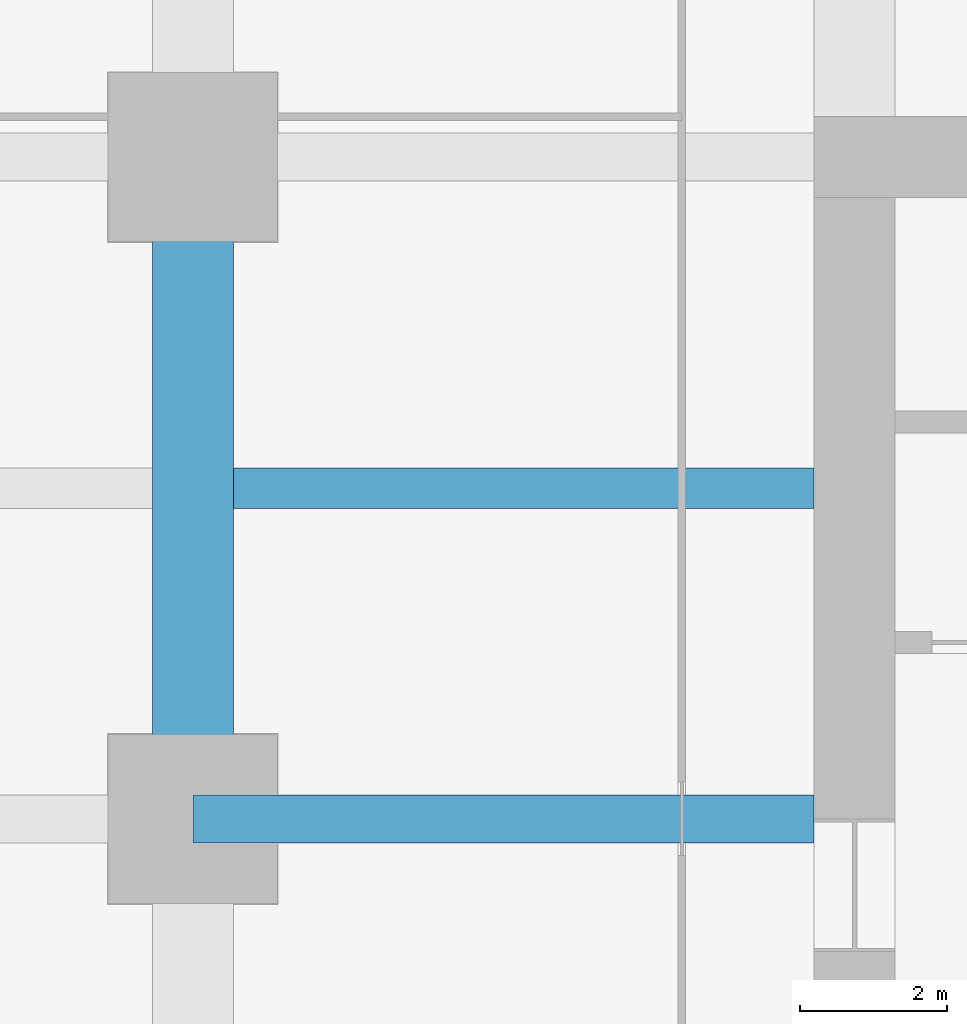
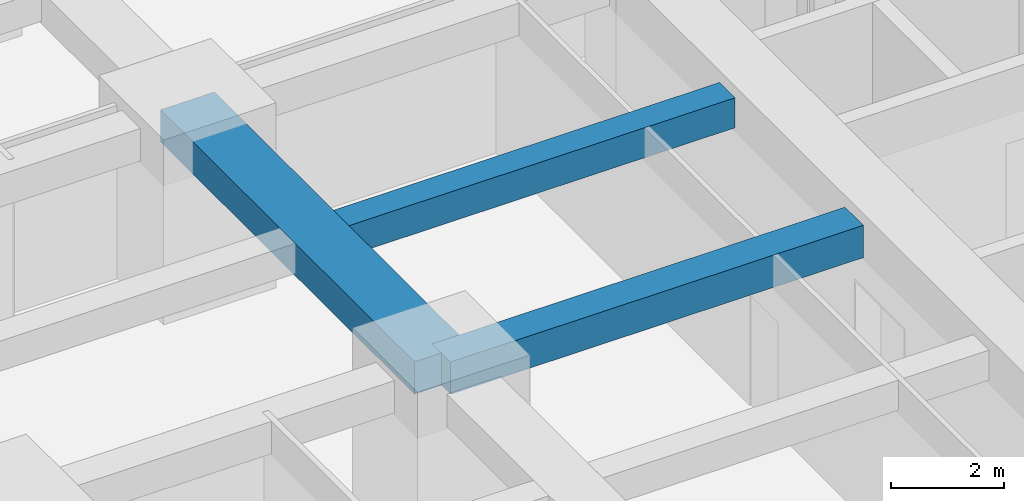
# One storey, part 12 of 44: 3 beams.
"""IFC4 building model written with IfcOpenShell, lengths in metres."""

import ifcopenshell
import ifcopenshell.guid

model = None  # the IFC model being written
_history = None  # IfcOwnerHistory: only IFC2X3 demands one
_inside = {}  # id of a spatial element -> (the spatial element, [elements in it])
_under = {}  # id of a project, library or spatial element -> (it, [spatial elements below it])
_declared = {}  # id of a project -> (the project, [libraries it declares])
_typed = {}  # id of a type object -> (the type object, [elements of that type])
_made_of = {}  # id of a material, layer set ... -> (it, [elements and type objects made of it])


def new_model(schema):
    """Start an empty IFC model of exactly this schema.

    Asked for "IFC4X3", IfcOpenShell would pick the latest addendum, in which some entities
    have other attributes; the version numbers below select the first issue.
    IFC2X3 requires an IfcOwnerHistory on every rooted entity: one is made here for all.
    """
    global model, _history
    if schema == "IFC4X3":
        model = ifcopenshell.file(schema_version=(4, 3, 0, 0))
    else:
        model = ifcopenshell.file(schema=schema)
    _inside.clear()
    _under.clear()
    _declared.clear()
    _typed.clear()
    _made_of.clear()
    _history = None
    if model.schema == "IFC2X3":
        org = make("IfcOrganization", Name="unknown")
        user = make(
            "IfcPersonAndOrganization",
            ThePerson=make("IfcPerson", FamilyName="unknown"),
            TheOrganization=org,
        )
        app = make(
            "IfcApplication",
            ApplicationDeveloper=org,
            Version="unknown",
            ApplicationFullName="unknown",
            ApplicationIdentifier="unknown",
        )
        _history = make(
            "IfcOwnerHistory",
            OwningUser=user,
            OwningApplication=app,
            ChangeAction="ADDED",
            CreationDate=0,
        )
    return model


def make(cls, **values):
    """One entity of the class cls with the attributes given. An attribute that is None is left unset."""
    return model.create_entity(
        cls, **{name: value for name, value in values.items() if value is not None}
    )


def rooted(cls, **values):
    """An entity with a GlobalId (a new one), such as an element, a storey or a relation."""
    return make(cls, GlobalId=ifcopenshell.guid.new(), OwnerHistory=_history, **values)


def si_unit(unit_type, name, prefix=None):
    """IfcSIUnit, for example si_unit("LENGTHUNIT", "METRE", prefix="MILLI")."""
    return make("IfcSIUnit", UnitType=unit_type, Prefix=prefix, Name=name)


def assignment(units):
    """IfcUnitAssignment: the units of a project."""
    return None if units is None else make("IfcUnitAssignment", Units=units)


def point(xyz):
    """IfcCartesianPoint."""
    return None if xyz is None else make("IfcCartesianPoint", Coordinates=xyz)


def direction(xyz):
    """IfcDirection."""
    return None if xyz is None else make("IfcDirection", DirectionRatios=xyz)


def frame(location, z_axis=None, x_axis=None):
    """IfcAxis2Placement3D, a coordinate frame: its origin and axes. An axis left out is left unset."""
    return make(
        "IfcAxis2Placement3D",
        Location=point(location),
        Axis=direction(z_axis),
        RefDirection=direction(x_axis),
    )


def frame_2d(location, x_axis=None):
    """IfcAxis2Placement2D, a coordinate frame in the plane: its origin and x axis."""
    return make(
        "IfcAxis2Placement2D", Location=point(location), RefDirection=direction(x_axis)
    )


def origin():
    """The frame at (0, 0, 0) with its axes left unset."""
    return frame((0.0, 0.0, 0.0))


def origin_2d():
    """The frame at (0, 0) in the plane with its x axis left unset."""
    return frame_2d((0.0, 0.0))


def place(relative_to, where):
    """IfcLocalPlacement: puts the frame where relative to a parent placement (None: the world)."""
    return make(
        "IfcLocalPlacement", PlacementRelTo=relative_to, RelativePlacement=where
    )


def context(
    kind, dimensions, precision=None, world=None, true_north=None, identifier=None
):
    """IfcGeometricRepresentationContext, for example the 3D "Model" context."""
    return make(
        "IfcGeometricRepresentationContext",
        ContextIdentifier=identifier,
        ContextType=kind,
        CoordinateSpaceDimension=dimensions,
        Precision=precision,
        WorldCoordinateSystem=world,
        TrueNorth=true_north,
    )


def subcontext(parent, identifier, kind, view, scale=None):
    """IfcGeometricRepresentationSubContext, for example "Body" below "Model"."""
    return make(
        "IfcGeometricRepresentationSubContext",
        ContextIdentifier=identifier,
        ContextType=kind,
        ParentContext=parent,
        TargetScale=scale,
        TargetView=view,
    )


def project(units=None, contexts=None):
    """IfcProject with its units and contexts."""
    return rooted(
        "IfcProject",
        Name="project",
        RepresentationContexts=contexts,
        UnitsInContext=assignment(units),
    )


def spatial(cls, under=None, at=None, **own):
    """A site, building, storey or space (cls), placed at a placement, below another one or the project."""
    s = rooted(cls, ObjectPlacement=at, **own)
    if under is not None:
        _under.setdefault(under.id(), (under, []))[1].append(s)
    return s


def profile(cls, at=None, kind="AREA", **sizes):
    """A parametric profile (cls). Its sizes go by their IFC names, for example OverallWidth=200.0."""
    return make(cls, ProfileType=kind, Position=at, **sizes)


def rectangle(**sizes):
    """IfcRectangleProfileDef."""
    return profile("IfcRectangleProfileDef", **sizes)


def extrude(swept, where, along, depth):
    """IfcExtrudedAreaSolid: the profile swept, set in the frame where, extruded along a direction by depth."""
    return make(
        "IfcExtrudedAreaSolid",
        SweptArea=swept,
        Position=where,
        ExtrudedDirection=direction(along),
        Depth=depth,
    )


def shape(context_of_items, identifier, shape_type, items):
    """IfcShapeRepresentation: the items that make up one representation, for example the "Body"."""
    return make(
        "IfcShapeRepresentation",
        ContextOfItems=context_of_items,
        RepresentationIdentifier=identifier,
        RepresentationType=shape_type,
        Items=items,
    )


def material(Name=None, Category=None):
    """IfcMaterial."""
    return make("IfcMaterial", Name=Name, Category=Category)


def material_profile(
    of_material, cross_section, Name=None, Category=None, Priority=None
):
    """IfcMaterialProfile: a cross section and its material."""
    return make(
        "IfcMaterialProfile",
        Name=Name,
        Material=of_material,
        Profile=cross_section,
        Priority=Priority,
        Category=Category,
    )


def profile_set(profiles, Name=None, composite=None):
    """IfcMaterialProfileSet."""
    return make(
        "IfcMaterialProfileSet",
        Name=Name,
        MaterialProfiles=profiles,
        CompositeProfile=composite,
    )


def made_of(thing, what):
    """Note that an element or type object is made of a material, layer set ...; save() writes the relation."""
    if what is not None:
        _made_of.setdefault(what.id(), (what, []))[1].append(thing)
    return thing


def type_object(cls, material=None, **own):
    """A type object (cls), such as IfcWallType, which elements share."""
    return made_of(rooted(cls, **own), material)


def element(
    cls,
    number,
    at=None,
    inside=None,
    cuts=None,
    type_object=None,
    material=None,
    context=None,
    identifier="Body",
    shape_type=None,
    held_by="IfcProductDefinitionShape",
    body=None,
    shapes=None,
    **own,
):
    """One element of the class cls, such as IfcWall. Its Tag is "e" and its number.

    at: its placement. inside: the storey or other place that contains it. cuts: it is an
    opening in that element (IfcRelVoidsElement). A single representation is given by context,
    identifier, shape_type and body (its items); several are given by shapes. held_by: the class
    of the entity that holds the representations. save() writes the other relations.
    """
    e = rooted(cls, Tag="e%d" % number, ObjectPlacement=at, **own)
    if body is not None:
        shapes = [shape(context, identifier, shape_type, body)]
    if shapes is not None:
        e.Representation = make(held_by, Representations=shapes)
    if inside is not None:
        _inside.setdefault(inside.id(), (inside, []))[1].append(e)
    if cuts is not None:
        rooted(
            "IfcRelVoidsElement", RelatingBuildingElement=cuts, RelatedOpeningElement=e
        )
    if type_object is not None:
        _typed.setdefault(type_object.id(), (type_object, []))[1].append(e)
    return made_of(e, material)


def aggregate(whole, parts):
    """IfcRelAggregates: a whole, such as a stair, and the parts it consists of."""
    return rooted("IfcRelAggregates", RelatingObject=whole, RelatedObjects=parts)


def save(model, path):
    """Write the relations noted so far, then the file.

    IfcRelAggregates (storeys below a building ...), IfcRelContainedInSpatialStructure (elements
    in a storey), IfcRelDefinesByType, IfcRelAssociatesMaterial and IfcRelDeclares: one each for
    every whole, place, type object, material and project.
    """
    for whole, parts in _under.values():
        aggregate(whole, parts)
    for where, things in _inside.values():
        rooted(
            "IfcRelContainedInSpatialStructure",
            RelatedElements=things,
            RelatingStructure=where,
        )
    for kind, things in _typed.values():
        rooted("IfcRelDefinesByType", RelatedObjects=things, RelatingType=kind)
    for what, things in _made_of.values():
        rooted("IfcRelAssociatesMaterial", RelatedObjects=things, RelatingMaterial=what)
    for by, libraries in _declared.values():
        rooted("IfcRelDeclares", RelatingContext=by, RelatedDefinitions=libraries)
    model.write(path)


model = new_model("IFC4")

# Units and contexts
model_context = context("Model", 3, precision=1e-05, world=origin(), true_north=direction((0.0, 1.0)))
body_context = subcontext(model_context, "Body", "Model", "MODEL_VIEW")
ifc_project = project(units=[si_unit("LENGTHUNIT", "METRE"), si_unit("AREAUNIT", "SQUARE_METRE"), si_unit("VOLUMEUNIT", "CUBIC_METRE"), si_unit("PLANEANGLEUNIT", "RADIAN"), si_unit("MASSUNIT", "GRAM", prefix="KILO")], contexts=[model_context])

# Site, building, storey
site_placement = place(None, origin())
site = spatial("IfcSite", under=ifc_project, at=site_placement, CompositionType="ELEMENT")
building_placement = place(site_placement, origin())
building = spatial("IfcBuilding", under=site, at=building_placement, Name="Zorevar Civic Tower", CompositionType="ELEMENT")
storey_placement = place(building_placement, frame((0.0, 0.0, 35.800048828125)))
storey = spatial("IfcBuildingStorey", under=building, at=storey_placement, Name="L08", CompositionType="ELEMENT", Elevation=35.800048828125)

# Beams
ifc_material_1 = material(Name="Concrete C50/60", Category="concrete")
ifc_material_profile_1 = material_profile(ifc_material_1, rectangle(XDim=1.10009765625, YDim=0.699951171875, at=origin_2d()), Name="RC 1100x700")
ifc_profile_set_1 = profile_set([ifc_material_profile_1], Name="Concrete C50/60")
beam_type_1 = type_object("IfcBeamType", Name="Beam RC 1100x700", PredefinedType="BEAM", material=ifc_profile_set_1)
beam_1_placement = place(storey_placement, frame((9.0, 27.0, 3.39990234375), z_axis=(0.0, 1.0, 0.0), x_axis=(-1.0, 0.0, 0.0)))
element("IfcBeam", 1, at=beam_1_placement, inside=storey, type_object=beam_type_1, Name="Girder L09", PredefinedType="BEAM", context=body_context, shape_type="SweptSolid", body=[
    extrude(rectangle(XDim=1.10009765625, YDim=0.699951171875, at=origin_2d()), origin(), (0.0, 0.0, 1.0), 9.0),
])
ifc_material_2 = material(Name="Concrete C50/60", Category="concrete")
ifc_material_profile_2 = material_profile(ifc_material_2, rectangle(XDim=0.550048828125, YDim=0.64990234375, at=origin_2d()), Name="RC 550x650")
ifc_profile_set_2 = profile_set([ifc_material_profile_2], Name="Concrete C50/60")
beam_type_2 = type_object("IfcBeamType", Name="Beam RC 550x650", PredefinedType="BEAM", material=ifc_profile_set_2)
beam_2_placement = place(storey_placement, frame((9.550048828125, 31.5, 3.425048828125), z_axis=(1.0, 0.0, 0.0), x_axis=(0.0, 1.0, 0.0)))
element("IfcBeam", 2, at=beam_2_placement, inside=storey, type_object=beam_type_2, Name="Secondary beam L09", PredefinedType="BEAM", context=body_context, shape_type="SweptSolid", body=[
    extrude(rectangle(XDim=0.550048828125, YDim=0.64990234375, at=origin_2d()), origin(), (0.0, 0.0, 1.0), 7.89990234375),
])
ifc_material_3 = material(Name="Concrete C50/60", Category="concrete")
ifc_material_profile_3 = material_profile(ifc_material_3, rectangle(XDim=0.64990234375, YDim=0.699951171875, at=origin_2d()), Name="RC 650x700")
ifc_profile_set_3 = profile_set([ifc_material_profile_3], Name="Concrete C50/60")
beam_type_3 = type_object("IfcBeamType", Name="Beam RC 650x700", PredefinedType="BEAM", material=ifc_profile_set_3)
beam_3_placement = place(storey_placement, frame((9.0, 27.0, 3.39990234375), z_axis=(1.0, 0.0, 0.0), x_axis=(0.0, 1.0, 0.0)))
element("IfcBeam", 3, at=beam_3_placement, inside=storey, type_object=beam_type_3, Name="Girder L09", PredefinedType="BEAM", context=body_context, shape_type="SweptSolid", body=[
    extrude(rectangle(XDim=0.64990234375, YDim=0.699951171875, at=origin_2d()), origin(), (0.0, 0.0, 1.0), 8.449951171875),
])

save(model, "model.ifc")
